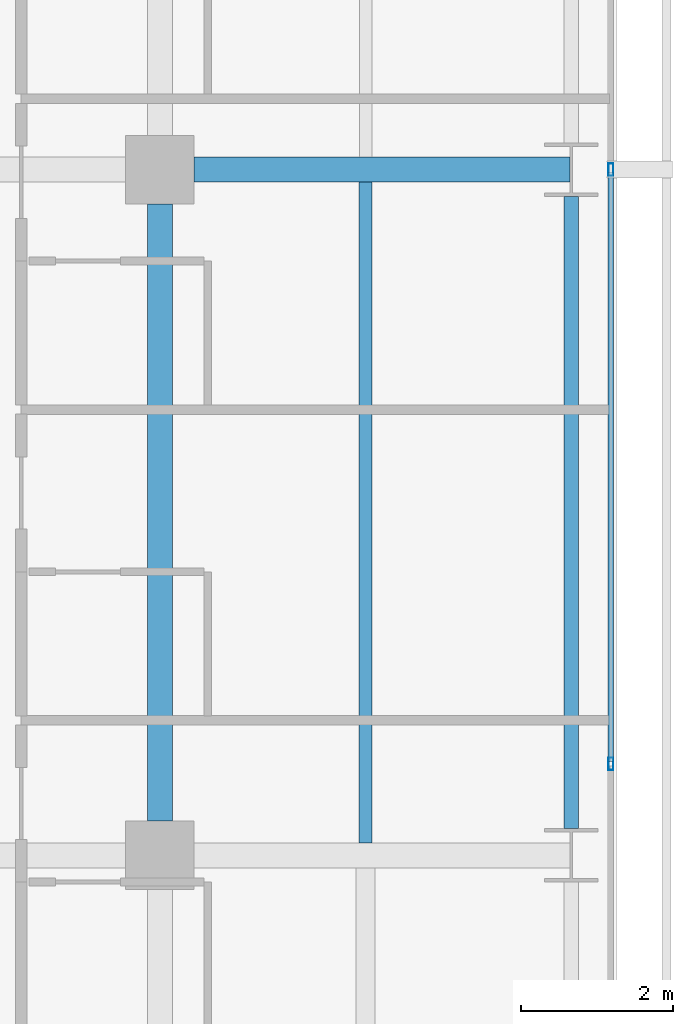
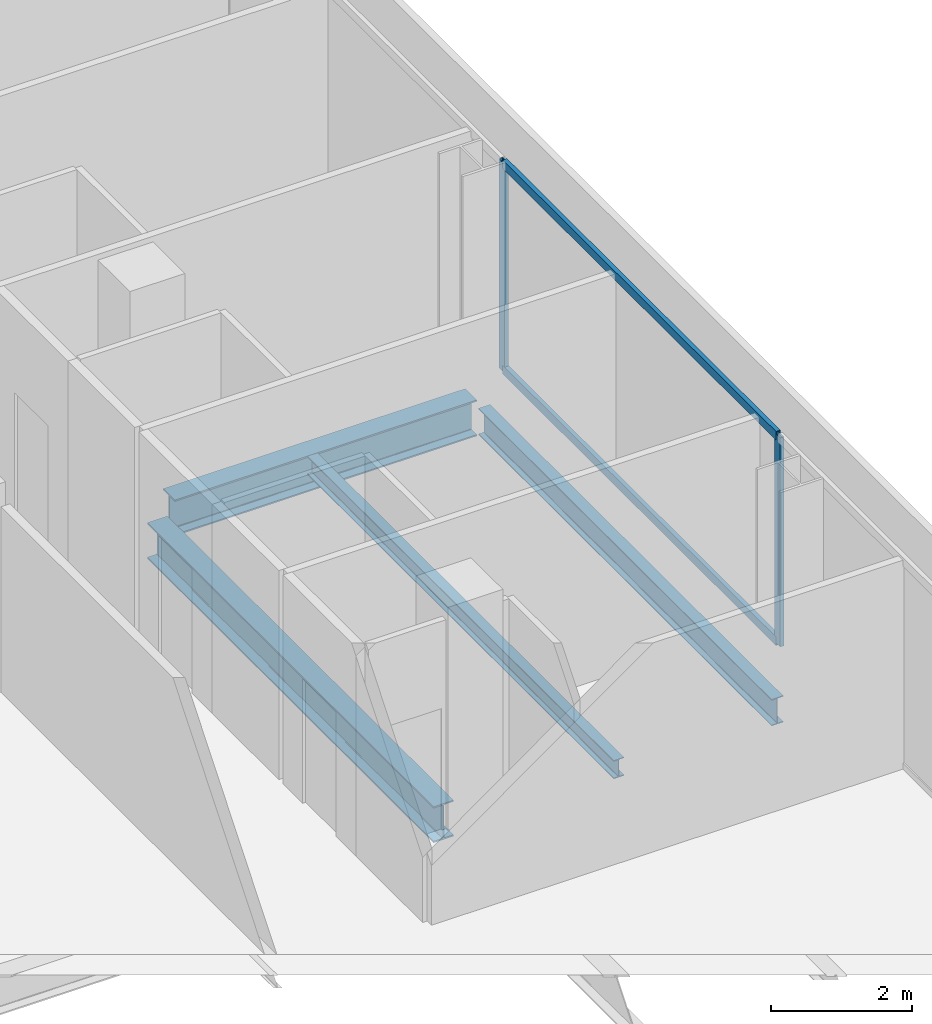
# One storey, part 19 of 40: 4 beams, 4 members, 1 element without a shape of its own.
"""IFC4 building model written with IfcOpenShell, lengths in metres."""

from ifc_helpers import new_model, si_unit, direction, frame, origin, origin_2d, place, context, subcontext, project, spatial, hollow_rectangle, i_section, extrude, material, layer, layer_set, material_profile, profile_set, type_object, element, aggregate, save


model = new_model("IFC4")

# Units and contexts
model_context = context("Model", 3, precision=1e-05, world=origin(), true_north=direction((0.0, 1.0)))
body_context = subcontext(model_context, "Body", "Model", "MODEL_VIEW")
ifc_project = project(units=[si_unit("LENGTHUNIT", "METRE"), si_unit("AREAUNIT", "SQUARE_METRE"), si_unit("VOLUMEUNIT", "CUBIC_METRE"), si_unit("PLANEANGLEUNIT", "RADIAN"), si_unit("MASSUNIT", "GRAM", prefix="KILO")], contexts=[model_context])

# Site, building, storey
site_placement = place(None, origin())
site = spatial("IfcSite", under=ifc_project, at=site_placement, CompositionType="ELEMENT")
building_placement = place(site_placement, origin())
building = spatial("IfcBuilding", under=site, at=building_placement, Name="Maruvema Waterfront Hotel and Observation Tower", CompositionType="ELEMENT")
storey_placement = place(building_placement, frame((0.0, 0.0, 53.89990234375)))
storey = spatial("IfcBuildingStorey", under=building, at=storey_placement, Name="L12", CompositionType="ELEMENT", Elevation=53.89990234375)

# Curtain wall, members
ifc_material_1 = material(Name="Anodised bronze aluminium and solar-control low-E IGU", Category="aluminium")
ifc_layer = layer(ifc_material_1, 0.159912109375, Name="Zone 1 Bronze Inner Thermal Curtain Wall System CW-02")
ifc_layer_set = layer_set([ifc_layer], Name="Anodised bronze aluminium and solar-control low-E IGU")
curtain_wall_type = type_object("IfcCurtainWallType", Name="Zone 1 Bronze Inner Thermal Curtain Wall System CW-02", PredefinedType="USERDEFINED", material=ifc_layer_set)
curtain_wall_placement = place(storey_placement, origin())
curtain_wall = element("IfcCurtainWall", 1, at=curtain_wall_placement, inside=storey, type_object=curtain_wall_type, Name="L12 Curtain Wall CW-L12-E", ObjectType="UNITISED CURTAIN WALL", PredefinedType="USERDEFINED")
ifc_material_2 = material(Name="Anodised architectural bronze aluminium", Category="aluminium")
ifc_material_profile_1 = material_profile(ifc_material_2, hollow_rectangle(XDim=0.070068359375, YDim=0.14990234375, WallThickness=0.00390625, at=origin_2d()), Name="ALU-T70x150")
ifc_profile_set_1 = profile_set([ifc_material_profile_1], Name="Anodised architectural bronze aluminium")
member_type_1 = type_object("IfcMemberType", Name="Curtain Wall Horizontal Transom ALU-T70x150", PredefinedType="USERDEFINED", material=ifc_profile_set_1)
member_1_placement = place(storey_placement, frame((64.719970703125, 19.22998046875, 0.030029296875), z_axis=(0.0, 1.0, 0.0), x_axis=(-1.0, 0.0, 0.0)))
member_1 = element("IfcMember", 2, at=member_1_placement, type_object=member_type_1, Name="CW-02 transom 3.1", ObjectType="TRANSOM", PredefinedType="USERDEFINED", context=body_context, shape_type="SweptSolid", body=[
    extrude(hollow_rectangle(XDim=0.070068359375, YDim=0.14990234375, WallThickness=0.00390625, at=origin_2d()), origin(), (0.0, 0.0, 1.0), 7.739990234375),
])
member_2_placement = place(storey_placement, frame((64.719970703125, 19.22998046875, 3.580078125), z_axis=(0.0, 1.0, 0.0), x_axis=(-1.0, 0.0, 0.0)))
member_2 = element("IfcMember", 3, at=member_2_placement, type_object=member_type_1, Name="CW-02 transom 3.2", ObjectType="TRANSOM", PredefinedType="USERDEFINED", context=body_context, shape_type="SweptSolid", body=[
    extrude(hollow_rectangle(XDim=0.070068359375, YDim=0.14990234375, WallThickness=0.00390625, at=origin_2d()), origin(), (0.0, 0.0, 1.0), 7.739990234375),
])
ifc_material_3 = material(Name="Anodised architectural bronze aluminium", Category="aluminium")
ifc_material_profile_2 = material_profile(ifc_material_3, hollow_rectangle(XDim=0.06494140625, YDim=0.1650390625, WallThickness=0.00390625, at=origin_2d()), Name="ALU-M65x165")
ifc_profile_set_2 = profile_set([ifc_material_profile_2], Name="Anodised architectural bronze aluminium")
member_type_2 = type_object("IfcMemberType", Name="Curtain Wall Primary Mullion ALU-M65x165", PredefinedType="MULLION", material=ifc_profile_set_2)
member_3_placement = place(storey_placement, frame((64.719970703125, 19.199951171875, 0.0), z_axis=(0.0, 0.0, 1.0), x_axis=(-1.0, 0.0, 0.0)))
member_3 = element("IfcMember", 4, at=member_3_placement, type_object=member_type_2, Name="CW-02 mullion 3", PredefinedType="MULLION", context=body_context, shape_type="SweptSolid", body=[
    extrude(hollow_rectangle(XDim=0.06494140625, YDim=0.1650390625, WallThickness=0.00390625, at=origin_2d()), origin(), (0.0, 0.0, 1.0), 3.610107421875),
])
member_4_placement = place(storey_placement, frame((64.719970703125, 27.0, 0.0), z_axis=(0.0, 0.0, 1.0), x_axis=(-1.0, 0.0, 0.0)))
member_4 = element("IfcMember", 5, at=member_4_placement, type_object=member_type_2, Name="CW-02 mullion 4", PredefinedType="MULLION", context=body_context, shape_type="SweptSolid", body=[
    extrude(hollow_rectangle(XDim=0.06494140625, YDim=0.1650390625, WallThickness=0.00390625, at=origin_2d()), origin(), (0.0, 0.0, 1.0), 3.610107421875),
])
aggregate(curtain_wall, [member_3, member_4, member_1, member_2])

# Beams
ifc_material_4 = material(Name="Steel ASTM A572 Grade 50", Category="steel")
ifc_material_profile_3 = material_profile(ifc_material_4, i_section(OverallWidth=0.18994140625, OverallDepth=0.45703125, WebThickness=0.009033203125, FlangeThickness=0.014404296875, FilletRadius=0.014892578125, at=origin_2d()), Name="W460x74.0")
ifc_profile_set_3 = profile_set([ifc_material_profile_3], Name="Steel ASTM A572 Grade 50")
beam_type_1 = type_object("IfcBeamType", Name="Perimeter Spandrel Beam W460x74.0", PredefinedType="SPANDREL", material=ifc_profile_set_3)
beam_1_placement = place(storey_placement, frame((64.199951171875, 18.35009765625, -0.468505859375), z_axis=(0.0, 1.0, 0.0), x_axis=(-1.0, 0.0, 0.0)))
element("IfcBeam", 6, at=beam_1_placement, inside=storey, type_object=beam_type_1, Name="L12 Floor Girder NS-34", PredefinedType="SPANDREL", context=body_context, shape_type="SweptSolid", body=[
    extrude(i_section(OverallWidth=0.18994140625, OverallDepth=0.45703125, WebThickness=0.009033203125, FlangeThickness=0.014404296875, FilletRadius=0.014892578125, at=origin_2d()), origin(), (0.0, 0.0, 1.0), 8.2998046875),
])
ifc_material_5 = material(Name="Steel ASTM A572 Grade 50", Category="steel")
ifc_material_profile_4 = material_profile(ifc_material_5, i_section(OverallWidth=0.326904296875, OverallDepth=0.6220703125, WebThickness=0.015380859375, FlangeThickness=0.0244140625, FilletRadius=0.01806640625, at=origin_2d()), Name="W610x195.0")
ifc_profile_set_4 = profile_set([ifc_material_profile_4], Name="Steel ASTM A572 Grade 50")
beam_type_2 = type_object("IfcBeamType", Name="Primary Floor Girder W610x195.0", PredefinedType="BEAM", material=ifc_profile_set_4)
beam_2_placement = place(storey_placement, frame((59.25, 27.0, -0.55078125), z_axis=(1.0, 0.0, 0.0), x_axis=(0.0, 1.0, 0.0)))
element("IfcBeam", 7, at=beam_2_placement, inside=storey, type_object=beam_type_2, Name="L12 Floor Girder EW-24", PredefinedType="BEAM", context=body_context, shape_type="SweptSolid", body=[
    extrude(i_section(OverallWidth=0.326904296875, OverallDepth=0.6220703125, WebThickness=0.015380859375, FlangeThickness=0.0244140625, FilletRadius=0.01806640625, at=origin_2d()), origin(), (0.0, 0.0, 1.0), 4.93603515625),
])
beam_3_placement = place(storey_placement, frame((58.800048828125, 18.449951171875, -0.55078125), z_axis=(0.0, 1.0, 0.0), x_axis=(-1.0, 0.0, 0.0)))
element("IfcBeam", 8, at=beam_3_placement, inside=storey, type_object=beam_type_2, Name="L12 Floor Girder NS-29", PredefinedType="BEAM", context=body_context, shape_type="SweptSolid", body=[
    extrude(i_section(OverallWidth=0.326904296875, OverallDepth=0.6220703125, WebThickness=0.015380859375, FlangeThickness=0.0244140625, FilletRadius=0.01806640625, at=origin_2d()), origin(), (0.0, 0.0, 1.0), 8.10009765625),
])
ifc_material_6 = material(Name="Steel ASTM A572 Grade 50", Category="steel")
ifc_material_profile_5 = material_profile(ifc_material_6, i_section(OverallWidth=0.1669921875, OverallDepth=0.31689453125, WebThickness=0.007568359375, FlangeThickness=0.01318359375, FilletRadius=0.012939453125, at=origin_2d()), Name="W310x52.0")
ifc_profile_set_5 = profile_set([ifc_material_profile_5], Name="Steel ASTM A572 Grade 50")
beam_type_3 = type_object("IfcBeamType", Name="Secondary Floor Joist W310x52.0", PredefinedType="JOIST", material=ifc_profile_set_5)
beam_4_placement = place(storey_placement, frame((61.5, 18.16357421875, -0.3984375), z_axis=(0.0, 1.0, 0.0), x_axis=(-1.0, 0.0, 0.0)))
element("IfcBeam", 9, at=beam_4_placement, inside=storey, type_object=beam_type_3, Name="L12 Secondary Floor Joist JS-22", PredefinedType="JOIST", context=body_context, shape_type="SweptSolid", body=[
    extrude(i_section(OverallWidth=0.1669921875, OverallDepth=0.31689453125, WebThickness=0.007568359375, FlangeThickness=0.01318359375, FilletRadius=0.012939453125, at=origin_2d()), origin(), (0.0, 0.0, 1.0), 8.6728515625),
])

save(model, "model.ifc")
